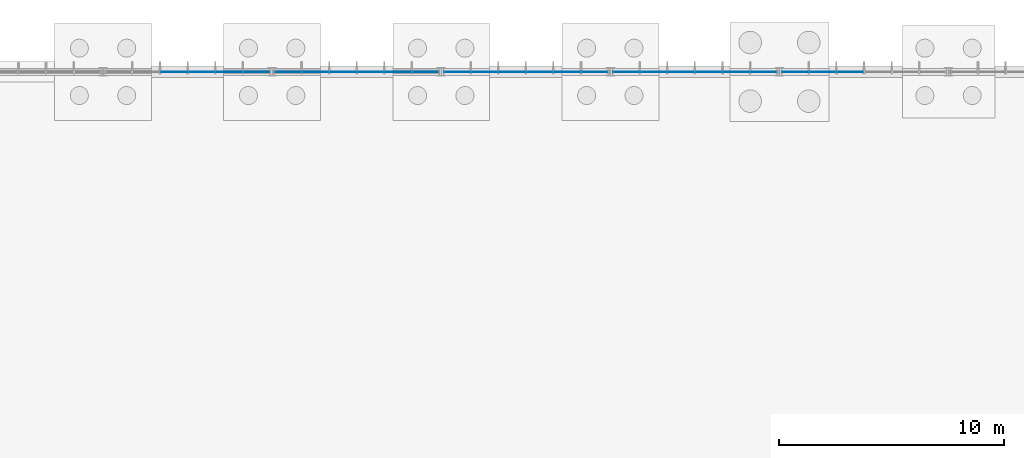
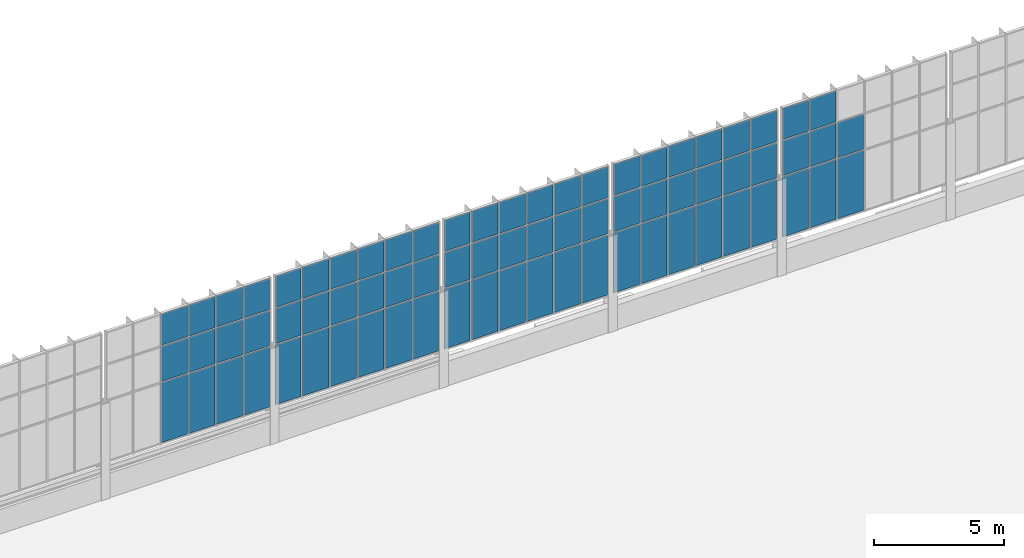
# One storey, part 93 of 136: 74 plates, 5 elements without a shape of their own.
"""IFC4 building model written with IfcOpenShell, lengths in metres."""

import ifcopenshell
import ifcopenshell.guid

model = None  # the IFC model being written
_history = None  # IfcOwnerHistory: only IFC2X3 demands one
_inside = {}  # id of a spatial element -> (the spatial element, [elements in it])
_under = {}  # id of a project, library or spatial element -> (it, [spatial elements below it])
_declared = {}  # id of a project -> (the project, [libraries it declares])
_typed = {}  # id of a type object -> (the type object, [elements of that type])
_made_of = {}  # id of a material, layer set ... -> (it, [elements and type objects made of it])


def new_model(schema):
    """Start an empty IFC model of exactly this schema.

    Asked for "IFC4X3", IfcOpenShell would pick the latest addendum, in which some entities
    have other attributes; the version numbers below select the first issue.
    IFC2X3 requires an IfcOwnerHistory on every rooted entity: one is made here for all.
    """
    global model, _history
    if schema == "IFC4X3":
        model = ifcopenshell.file(schema_version=(4, 3, 0, 0))
    else:
        model = ifcopenshell.file(schema=schema)
    _inside.clear()
    _under.clear()
    _declared.clear()
    _typed.clear()
    _made_of.clear()
    _history = None
    if model.schema == "IFC2X3":
        org = make("IfcOrganization", Name="unknown")
        user = make(
            "IfcPersonAndOrganization",
            ThePerson=make("IfcPerson", FamilyName="unknown"),
            TheOrganization=org,
        )
        app = make(
            "IfcApplication",
            ApplicationDeveloper=org,
            Version="unknown",
            ApplicationFullName="unknown",
            ApplicationIdentifier="unknown",
        )
        _history = make(
            "IfcOwnerHistory",
            OwningUser=user,
            OwningApplication=app,
            ChangeAction="ADDED",
            CreationDate=0,
        )
    return model


def make(cls, **values):
    """One entity of the class cls with the attributes given. An attribute that is None is left unset."""
    return model.create_entity(
        cls, **{name: value for name, value in values.items() if value is not None}
    )


def rooted(cls, **values):
    """An entity with a GlobalId (a new one), such as an element, a storey or a relation."""
    return make(cls, GlobalId=ifcopenshell.guid.new(), OwnerHistory=_history, **values)


def si_unit(unit_type, name, prefix=None):
    """IfcSIUnit, for example si_unit("LENGTHUNIT", "METRE", prefix="MILLI")."""
    return make("IfcSIUnit", UnitType=unit_type, Prefix=prefix, Name=name)


def assignment(units):
    """IfcUnitAssignment: the units of a project."""
    return None if units is None else make("IfcUnitAssignment", Units=units)


def point(xyz):
    """IfcCartesianPoint."""
    return None if xyz is None else make("IfcCartesianPoint", Coordinates=xyz)


def direction(xyz):
    """IfcDirection."""
    return None if xyz is None else make("IfcDirection", DirectionRatios=xyz)


def frame(location, z_axis=None, x_axis=None):
    """IfcAxis2Placement3D, a coordinate frame: its origin and axes. An axis left out is left unset."""
    return make(
        "IfcAxis2Placement3D",
        Location=point(location),
        Axis=direction(z_axis),
        RefDirection=direction(x_axis),
    )


def frame_2d(location, x_axis=None):
    """IfcAxis2Placement2D, a coordinate frame in the plane: its origin and x axis."""
    return make(
        "IfcAxis2Placement2D", Location=point(location), RefDirection=direction(x_axis)
    )


def origin():
    """The frame at (0, 0, 0) with its axes left unset."""
    return frame((0.0, 0.0, 0.0))


def origin_2d():
    """The frame at (0, 0) in the plane with its x axis left unset."""
    return frame_2d((0.0, 0.0))


def place(relative_to, where):
    """IfcLocalPlacement: puts the frame where relative to a parent placement (None: the world)."""
    return make(
        "IfcLocalPlacement", PlacementRelTo=relative_to, RelativePlacement=where
    )


def context(
    kind, dimensions, precision=None, world=None, true_north=None, identifier=None
):
    """IfcGeometricRepresentationContext, for example the 3D "Model" context."""
    return make(
        "IfcGeometricRepresentationContext",
        ContextIdentifier=identifier,
        ContextType=kind,
        CoordinateSpaceDimension=dimensions,
        Precision=precision,
        WorldCoordinateSystem=world,
        TrueNorth=true_north,
    )


def subcontext(parent, identifier, kind, view, scale=None):
    """IfcGeometricRepresentationSubContext, for example "Body" below "Model"."""
    return make(
        "IfcGeometricRepresentationSubContext",
        ContextIdentifier=identifier,
        ContextType=kind,
        ParentContext=parent,
        TargetScale=scale,
        TargetView=view,
    )


def project(units=None, contexts=None):
    """IfcProject with its units and contexts."""
    return rooted(
        "IfcProject",
        Name="project",
        RepresentationContexts=contexts,
        UnitsInContext=assignment(units),
    )


def spatial(cls, under=None, at=None, **own):
    """A site, building, storey or space (cls), placed at a placement, below another one or the project."""
    s = rooted(cls, ObjectPlacement=at, **own)
    if under is not None:
        _under.setdefault(under.id(), (under, []))[1].append(s)
    return s


def profile(cls, at=None, kind="AREA", **sizes):
    """A parametric profile (cls). Its sizes go by their IFC names, for example OverallWidth=200.0."""
    return make(cls, ProfileType=kind, Position=at, **sizes)


def rectangle(**sizes):
    """IfcRectangleProfileDef."""
    return profile("IfcRectangleProfileDef", **sizes)


def extrude(swept, where, along, depth):
    """IfcExtrudedAreaSolid: the profile swept, set in the frame where, extruded along a direction by depth."""
    return make(
        "IfcExtrudedAreaSolid",
        SweptArea=swept,
        Position=where,
        ExtrudedDirection=direction(along),
        Depth=depth,
    )


def shape(context_of_items, identifier, shape_type, items):
    """IfcShapeRepresentation: the items that make up one representation, for example the "Body"."""
    return make(
        "IfcShapeRepresentation",
        ContextOfItems=context_of_items,
        RepresentationIdentifier=identifier,
        RepresentationType=shape_type,
        Items=items,
    )


def material(Name=None, Category=None):
    """IfcMaterial."""
    return make("IfcMaterial", Name=Name, Category=Category)


def layer(
    of_material, thickness, ventilated=None, Name=None, Category=None, Priority=None
):
    """IfcMaterialLayer: one layer of a wall or slab, of a material (None: an air gap)."""
    return make(
        "IfcMaterialLayer",
        Material=of_material,
        LayerThickness=thickness,
        IsVentilated=ventilated,
        Name=Name,
        Category=Category,
        Priority=Priority,
    )


def layer_set(layers, Name=None):
    """IfcMaterialLayerSet."""
    return make("IfcMaterialLayerSet", MaterialLayers=layers, LayerSetName=Name)


def made_of(thing, what):
    """Note that an element or type object is made of a material, layer set ...; save() writes the relation."""
    if what is not None:
        _made_of.setdefault(what.id(), (what, []))[1].append(thing)
    return thing


def type_object(cls, material=None, **own):
    """A type object (cls), such as IfcWallType, which elements share."""
    return made_of(rooted(cls, **own), material)


def element(
    cls,
    number,
    at=None,
    inside=None,
    cuts=None,
    type_object=None,
    material=None,
    context=None,
    identifier="Body",
    shape_type=None,
    held_by="IfcProductDefinitionShape",
    body=None,
    shapes=None,
    **own,
):
    """One element of the class cls, such as IfcWall. Its Tag is "e" and its number.

    at: its placement. inside: the storey or other place that contains it. cuts: it is an
    opening in that element (IfcRelVoidsElement). A single representation is given by context,
    identifier, shape_type and body (its items); several are given by shapes. held_by: the class
    of the entity that holds the representations. save() writes the other relations.
    """
    e = rooted(cls, Tag="e%d" % number, ObjectPlacement=at, **own)
    if body is not None:
        shapes = [shape(context, identifier, shape_type, body)]
    if shapes is not None:
        e.Representation = make(held_by, Representations=shapes)
    if inside is not None:
        _inside.setdefault(inside.id(), (inside, []))[1].append(e)
    if cuts is not None:
        rooted(
            "IfcRelVoidsElement", RelatingBuildingElement=cuts, RelatedOpeningElement=e
        )
    if type_object is not None:
        _typed.setdefault(type_object.id(), (type_object, []))[1].append(e)
    return made_of(e, material)


def aggregate(whole, parts):
    """IfcRelAggregates: a whole, such as a stair, and the parts it consists of."""
    return rooted("IfcRelAggregates", RelatingObject=whole, RelatedObjects=parts)


def save(model, path):
    """Write the relations noted so far, then the file.

    IfcRelAggregates (storeys below a building ...), IfcRelContainedInSpatialStructure (elements
    in a storey), IfcRelDefinesByType, IfcRelAssociatesMaterial and IfcRelDeclares: one each for
    every whole, place, type object, material and project.
    """
    for whole, parts in _under.values():
        aggregate(whole, parts)
    for where, things in _inside.values():
        rooted(
            "IfcRelContainedInSpatialStructure",
            RelatedElements=things,
            RelatingStructure=where,
        )
    for kind, things in _typed.values():
        rooted("IfcRelDefinesByType", RelatedObjects=things, RelatingType=kind)
    for what, things in _made_of.values():
        rooted("IfcRelAssociatesMaterial", RelatedObjects=things, RelatingMaterial=what)
    for by, libraries in _declared.values():
        rooted("IfcRelDeclares", RelatingContext=by, RelatedDefinitions=libraries)
    model.write(path)


model = new_model("IFC4")

# Units and contexts
model_context = context("Model", 3, precision=1e-05, world=origin(), true_north=direction((0.0, 1.0)))
body_context = subcontext(model_context, "Body", "Model", "MODEL_VIEW")
ifc_project = project(units=[si_unit("LENGTHUNIT", "METRE"), si_unit("AREAUNIT", "SQUARE_METRE"), si_unit("VOLUMEUNIT", "CUBIC_METRE"), si_unit("PLANEANGLEUNIT", "RADIAN"), si_unit("MASSUNIT", "GRAM", prefix="KILO")], contexts=[model_context])

# Site, building, storey
site_placement = place(None, origin())
site = spatial("IfcSite", under=ifc_project, at=site_placement, CompositionType="ELEMENT")
building_placement = place(site_placement, origin())
building = spatial("IfcBuilding", under=site, at=building_placement, Name="Solvenia Promenade Tram Depot", CompositionType="ELEMENT")
storey_placement = place(building_placement, origin())
storey = spatial("IfcBuildingStorey", under=building, at=storey_placement, Name="L00", CompositionType="ELEMENT", Elevation=0.0)

# Curtain wall, plates
ifc_material_1 = material(Name="Anodized aluminium AW-6063 T6", Category="aluminium")
ifc_layer_1 = layer(ifc_material_1, 0.159912109375, Name="Anodized aluminium AW-6063 T6", Category="aluminium")
ifc_layer_set_1 = layer_set([ifc_layer_1], Name="Anodized aluminium AW-6063 T6")
curtain_wall_type = type_object("IfcCurtainWallType", Name="CW-Channel-1200", PredefinedType="NOTDEFINED", material=ifc_layer_set_1)
curtain_wall_1_placement = place(storey_placement, origin())
curtain_wall_1 = element("IfcCurtainWall", 1, at=curtain_wall_1_placement, inside=storey, type_object=curtain_wall_type, Name="North Translucent Channel-Glass Wall 09", PredefinedType="NOTDEFINED")
ifc_material_2 = material(Name="Low-iron translucent U-profile channel glass", Category="glass")
ifc_layer_2 = layer(ifc_material_2, 0.028076171875, Name="Low-iron translucent U-profile channel glass", Category="glass")
ifc_layer_set_2 = layer_set([ifc_layer_2], Name="Low-iron translucent U-profile channel glass")
plate_type = type_object("IfcPlateType", Name="CWP-Panel-1", PredefinedType="CURTAIN_PANEL", material=ifc_layer_set_2)
plate_1_placement = place(storey_placement, frame((63.138427734375, 126.0, 1.659912109375), z_axis=(0.0, 0.0, 1.0), x_axis=(1.0, 0.0, 0.0)))
plate_1 = element("IfcPlate", 2, at=plate_1_placement, type_object=plate_type, Name="CW-1 panel 3.1", PredefinedType="CURTAIN_PANEL", context=body_context, shape_type="SweptSolid", body=[
    extrude(rectangle(XDim=1.17138671875, YDim=0.028076171875, at=origin_2d()), origin(), (0.0, 0.0, 1.0), 2.81005859375),
])
plate_2_placement = place(storey_placement, frame((63.138427734375, 126.0, 4.5302734375), z_axis=(0.0, 0.0, 1.0), x_axis=(1.0, 0.0, 0.0)))
plate_2 = element("IfcPlate", 3, at=plate_2_placement, type_object=plate_type, Name="CW-1 panel 3.2", PredefinedType="CURTAIN_PANEL", context=body_context, shape_type="SweptSolid", body=[
    extrude(rectangle(XDim=1.17138671875, YDim=0.028076171875, at=origin_2d()), origin(), (0.0, 0.0, 1.0), 1.639892578125),
])
plate_3_placement = place(storey_placement, frame((63.138427734375, 126.0, 6.22998046875), z_axis=(0.0, 0.0, 1.0), x_axis=(1.0, 0.0, 0.0)))
plate_3 = element("IfcPlate", 4, at=plate_3_placement, type_object=plate_type, Name="CW-1 panel 3.3", PredefinedType="CURTAIN_PANEL", context=body_context, shape_type="SweptSolid", body=[
    extrude(rectangle(XDim=1.17138671875, YDim=0.028076171875, at=origin_2d()), origin(), (0.0, 0.0, 1.0), 1.4599609375),
])
plate_4_placement = place(storey_placement, frame((64.361572265625, 126.0, 1.659912109375), z_axis=(0.0, 0.0, 1.0), x_axis=(1.0, 0.0, 0.0)))
plate_4 = element("IfcPlate", 5, at=plate_4_placement, type_object=plate_type, Name="CW-1 panel 4.1", PredefinedType="CURTAIN_PANEL", context=body_context, shape_type="SweptSolid", body=[
    extrude(rectangle(XDim=1.17138671875, YDim=0.028076171875, at=origin_2d()), origin(), (0.0, 0.0, 1.0), 2.81005859375),
])
plate_5_placement = place(storey_placement, frame((64.361572265625, 126.0, 4.5302734375), z_axis=(0.0, 0.0, 1.0), x_axis=(1.0, 0.0, 0.0)))
plate_5 = element("IfcPlate", 6, at=plate_5_placement, type_object=plate_type, Name="CW-1 panel 4.2", PredefinedType="CURTAIN_PANEL", context=body_context, shape_type="SweptSolid", body=[
    extrude(rectangle(XDim=1.17138671875, YDim=0.028076171875, at=origin_2d()), origin(), (0.0, 0.0, 1.0), 1.639892578125),
])
plate_6_placement = place(storey_placement, frame((64.361572265625, 126.0, 6.22998046875), z_axis=(0.0, 0.0, 1.0), x_axis=(1.0, 0.0, 0.0)))
plate_6 = element("IfcPlate", 7, at=plate_6_placement, type_object=plate_type, Name="CW-1 panel 4.3", PredefinedType="CURTAIN_PANEL", context=body_context, shape_type="SweptSolid", body=[
    extrude(rectangle(XDim=1.17138671875, YDim=0.028076171875, at=origin_2d()), origin(), (0.0, 0.0, 1.0), 1.4599609375),
])
plate_7_placement = place(storey_placement, frame((65.5849609375, 126.0, 1.659912109375), z_axis=(0.0, 0.0, 1.0), x_axis=(1.0, 0.0, 0.0)))
plate_7 = element("IfcPlate", 8, at=plate_7_placement, type_object=plate_type, Name="CW-1 panel 5.1", PredefinedType="CURTAIN_PANEL", context=body_context, shape_type="SweptSolid", body=[
    extrude(rectangle(XDim=1.17138671875, YDim=0.028076171875, at=origin_2d()), origin(), (0.0, 0.0, 1.0), 2.81005859375),
])
plate_8_placement = place(storey_placement, frame((65.5849609375, 126.0, 4.5302734375), z_axis=(0.0, 0.0, 1.0), x_axis=(1.0, 0.0, 0.0)))
plate_8 = element("IfcPlate", 9, at=plate_8_placement, type_object=plate_type, Name="CW-1 panel 5.2", PredefinedType="CURTAIN_PANEL", context=body_context, shape_type="SweptSolid", body=[
    extrude(rectangle(XDim=1.17138671875, YDim=0.028076171875, at=origin_2d()), origin(), (0.0, 0.0, 1.0), 1.639892578125),
])
plate_9_placement = place(storey_placement, frame((65.5849609375, 126.0, 6.22998046875), z_axis=(0.0, 0.0, 1.0), x_axis=(1.0, 0.0, 0.0)))
plate_9 = element("IfcPlate", 10, at=plate_9_placement, type_object=plate_type, Name="CW-1 panel 5.3", PredefinedType="CURTAIN_PANEL", context=body_context, shape_type="SweptSolid", body=[
    extrude(rectangle(XDim=1.17138671875, YDim=0.028076171875, at=origin_2d()), origin(), (0.0, 0.0, 1.0), 1.4599609375),
])
plate_10_placement = place(storey_placement, frame((66.79541015625, 126.0, 1.659912109375), z_axis=(0.0, 0.0, 1.0), x_axis=(1.0, 0.0, 0.0)))
plate_10 = element("IfcPlate", 11, at=plate_10_placement, type_object=plate_type, Name="CW-1 panel 6.1", PredefinedType="CURTAIN_PANEL", context=body_context, shape_type="SweptSolid", body=[
    extrude(rectangle(XDim=1.145263671875, YDim=0.028076171875, at=origin_2d()), origin(), (0.0, 0.0, 1.0), 2.81005859375),
])
plate_11_placement = place(storey_placement, frame((66.79541015625, 126.0, 4.5302734375), z_axis=(0.0, 0.0, 1.0), x_axis=(1.0, 0.0, 0.0)))
plate_11 = element("IfcPlate", 12, at=plate_11_placement, type_object=plate_type, Name="CW-1 panel 6.2", PredefinedType="CURTAIN_PANEL", context=body_context, shape_type="SweptSolid", body=[
    extrude(rectangle(XDim=1.145263671875, YDim=0.028076171875, at=origin_2d()), origin(), (0.0, 0.0, 1.0), 1.639892578125),
])
plate_12_placement = place(storey_placement, frame((66.79541015625, 126.0, 6.22998046875), z_axis=(0.0, 0.0, 1.0), x_axis=(1.0, 0.0, 0.0)))
plate_12 = element("IfcPlate", 13, at=plate_12_placement, type_object=plate_type, Name="CW-1 panel 6.3", PredefinedType="CURTAIN_PANEL", context=body_context, shape_type="SweptSolid", body=[
    extrude(rectangle(XDim=1.145263671875, YDim=0.028076171875, at=origin_2d()), origin(), (0.0, 0.0, 1.0), 1.4599609375),
])
aggregate(curtain_wall_1, [plate_1, plate_2, plate_3, plate_4, plate_5, plate_6, plate_7, plate_8, plate_9, plate_10, plate_11, plate_12])

curtain_wall_2_placement = place(storey_placement, origin())
curtain_wall_2 = element("IfcCurtainWall", 14, at=curtain_wall_2_placement, inside=storey, type_object=curtain_wall_type, Name="North Translucent Channel-Glass Wall 10", PredefinedType="NOTDEFINED")
plate_13_placement = place(storey_placement, frame((68.20458984375, 126.0, 1.659912109375), z_axis=(0.0, 0.0, 1.0), x_axis=(1.0, 0.0, 0.0)))
plate_13 = element("IfcPlate", 15, at=plate_13_placement, type_object=plate_type, Name="CW-1 panel 1.1", PredefinedType="CURTAIN_PANEL", context=body_context, shape_type="SweptSolid", body=[
    extrude(rectangle(XDim=1.145263671875, YDim=0.028076171875, at=origin_2d()), origin(), (0.0, 0.0, 1.0), 2.81005859375),
])
plate_14_placement = place(storey_placement, frame((68.20458984375, 126.0, 4.5302734375), z_axis=(0.0, 0.0, 1.0), x_axis=(1.0, 0.0, 0.0)))
plate_14 = element("IfcPlate", 16, at=plate_14_placement, type_object=plate_type, Name="CW-1 panel 1.2", PredefinedType="CURTAIN_PANEL", context=body_context, shape_type="SweptSolid", body=[
    extrude(rectangle(XDim=1.145263671875, YDim=0.028076171875, at=origin_2d()), origin(), (0.0, 0.0, 1.0), 1.639892578125),
])
plate_15_placement = place(storey_placement, frame((68.20458984375, 126.0, 6.22998046875), z_axis=(0.0, 0.0, 1.0), x_axis=(1.0, 0.0, 0.0)))
plate_15 = element("IfcPlate", 17, at=plate_15_placement, type_object=plate_type, Name="CW-1 panel 1.3", PredefinedType="CURTAIN_PANEL", context=body_context, shape_type="SweptSolid", body=[
    extrude(rectangle(XDim=1.145263671875, YDim=0.028076171875, at=origin_2d()), origin(), (0.0, 0.0, 1.0), 1.4599609375),
])
plate_16_placement = place(storey_placement, frame((69.4150390625, 126.0, 1.659912109375), z_axis=(0.0, 0.0, 1.0), x_axis=(1.0, 0.0, 0.0)))
plate_16 = element("IfcPlate", 18, at=plate_16_placement, type_object=plate_type, Name="CW-1 panel 2.1", PredefinedType="CURTAIN_PANEL", context=body_context, shape_type="SweptSolid", body=[
    extrude(rectangle(XDim=1.17138671875, YDim=0.028076171875, at=origin_2d()), origin(), (0.0, 0.0, 1.0), 2.81005859375),
])
plate_17_placement = place(storey_placement, frame((69.4150390625, 126.0, 4.5302734375), z_axis=(0.0, 0.0, 1.0), x_axis=(1.0, 0.0, 0.0)))
plate_17 = element("IfcPlate", 19, at=plate_17_placement, type_object=plate_type, Name="CW-1 panel 2.2", PredefinedType="CURTAIN_PANEL", context=body_context, shape_type="SweptSolid", body=[
    extrude(rectangle(XDim=1.17138671875, YDim=0.028076171875, at=origin_2d()), origin(), (0.0, 0.0, 1.0), 1.639892578125),
])
plate_18_placement = place(storey_placement, frame((69.4150390625, 126.0, 6.22998046875), z_axis=(0.0, 0.0, 1.0), x_axis=(1.0, 0.0, 0.0)))
plate_18 = element("IfcPlate", 20, at=plate_18_placement, type_object=plate_type, Name="CW-1 panel 2.3", PredefinedType="CURTAIN_PANEL", context=body_context, shape_type="SweptSolid", body=[
    extrude(rectangle(XDim=1.17138671875, YDim=0.028076171875, at=origin_2d()), origin(), (0.0, 0.0, 1.0), 1.4599609375),
])
plate_19_placement = place(storey_placement, frame((70.638427734375, 126.0, 1.659912109375), z_axis=(0.0, 0.0, 1.0), x_axis=(1.0, 0.0, 0.0)))
plate_19 = element("IfcPlate", 21, at=plate_19_placement, type_object=plate_type, Name="CW-1 panel 3.1", PredefinedType="CURTAIN_PANEL", context=body_context, shape_type="SweptSolid", body=[
    extrude(rectangle(XDim=1.17138671875, YDim=0.028076171875, at=origin_2d()), origin(), (0.0, 0.0, 1.0), 2.81005859375),
])
plate_20_placement = place(storey_placement, frame((70.638427734375, 126.0, 4.5302734375), z_axis=(0.0, 0.0, 1.0), x_axis=(1.0, 0.0, 0.0)))
plate_20 = element("IfcPlate", 22, at=plate_20_placement, type_object=plate_type, Name="CW-1 panel 3.2", PredefinedType="CURTAIN_PANEL", context=body_context, shape_type="SweptSolid", body=[
    extrude(rectangle(XDim=1.17138671875, YDim=0.028076171875, at=origin_2d()), origin(), (0.0, 0.0, 1.0), 1.639892578125),
])
plate_21_placement = place(storey_placement, frame((70.638427734375, 126.0, 6.22998046875), z_axis=(0.0, 0.0, 1.0), x_axis=(1.0, 0.0, 0.0)))
plate_21 = element("IfcPlate", 23, at=plate_21_placement, type_object=plate_type, Name="CW-1 panel 3.3", PredefinedType="CURTAIN_PANEL", context=body_context, shape_type="SweptSolid", body=[
    extrude(rectangle(XDim=1.17138671875, YDim=0.028076171875, at=origin_2d()), origin(), (0.0, 0.0, 1.0), 1.4599609375),
])
plate_22_placement = place(storey_placement, frame((71.861572265625, 126.0, 1.659912109375), z_axis=(0.0, 0.0, 1.0), x_axis=(1.0, 0.0, 0.0)))
plate_22 = element("IfcPlate", 24, at=plate_22_placement, type_object=plate_type, Name="CW-1 panel 4.1", PredefinedType="CURTAIN_PANEL", context=body_context, shape_type="SweptSolid", body=[
    extrude(rectangle(XDim=1.17138671875, YDim=0.028076171875, at=origin_2d()), origin(), (0.0, 0.0, 1.0), 2.81005859375),
])
plate_23_placement = place(storey_placement, frame((71.861572265625, 126.0, 4.5302734375), z_axis=(0.0, 0.0, 1.0), x_axis=(1.0, 0.0, 0.0)))
plate_23 = element("IfcPlate", 25, at=plate_23_placement, type_object=plate_type, Name="CW-1 panel 4.2", PredefinedType="CURTAIN_PANEL", context=body_context, shape_type="SweptSolid", body=[
    extrude(rectangle(XDim=1.17138671875, YDim=0.028076171875, at=origin_2d()), origin(), (0.0, 0.0, 1.0), 1.639892578125),
])
plate_24_placement = place(storey_placement, frame((71.861572265625, 126.0, 6.22998046875), z_axis=(0.0, 0.0, 1.0), x_axis=(1.0, 0.0, 0.0)))
plate_24 = element("IfcPlate", 26, at=plate_24_placement, type_object=plate_type, Name="CW-1 panel 4.3", PredefinedType="CURTAIN_PANEL", context=body_context, shape_type="SweptSolid", body=[
    extrude(rectangle(XDim=1.17138671875, YDim=0.028076171875, at=origin_2d()), origin(), (0.0, 0.0, 1.0), 1.4599609375),
])
plate_25_placement = place(storey_placement, frame((73.0849609375, 126.0, 1.659912109375), z_axis=(0.0, 0.0, 1.0), x_axis=(1.0, 0.0, 0.0)))
plate_25 = element("IfcPlate", 27, at=plate_25_placement, type_object=plate_type, Name="CW-1 panel 5.1", PredefinedType="CURTAIN_PANEL", context=body_context, shape_type="SweptSolid", body=[
    extrude(rectangle(XDim=1.17138671875, YDim=0.028076171875, at=origin_2d()), origin(), (0.0, 0.0, 1.0), 2.81005859375),
])
plate_26_placement = place(storey_placement, frame((73.0849609375, 126.0, 4.5302734375), z_axis=(0.0, 0.0, 1.0), x_axis=(1.0, 0.0, 0.0)))
plate_26 = element("IfcPlate", 28, at=plate_26_placement, type_object=plate_type, Name="CW-1 panel 5.2", PredefinedType="CURTAIN_PANEL", context=body_context, shape_type="SweptSolid", body=[
    extrude(rectangle(XDim=1.17138671875, YDim=0.028076171875, at=origin_2d()), origin(), (0.0, 0.0, 1.0), 1.639892578125),
])
plate_27_placement = place(storey_placement, frame((73.0849609375, 126.0, 6.22998046875), z_axis=(0.0, 0.0, 1.0), x_axis=(1.0, 0.0, 0.0)))
plate_27 = element("IfcPlate", 29, at=plate_27_placement, type_object=plate_type, Name="CW-1 panel 5.3", PredefinedType="CURTAIN_PANEL", context=body_context, shape_type="SweptSolid", body=[
    extrude(rectangle(XDim=1.17138671875, YDim=0.028076171875, at=origin_2d()), origin(), (0.0, 0.0, 1.0), 1.4599609375),
])
plate_28_placement = place(storey_placement, frame((74.29541015625, 126.0, 1.659912109375), z_axis=(0.0, 0.0, 1.0), x_axis=(1.0, 0.0, 0.0)))
plate_28 = element("IfcPlate", 30, at=plate_28_placement, type_object=plate_type, Name="CW-1 panel 6.1", PredefinedType="CURTAIN_PANEL", context=body_context, shape_type="SweptSolid", body=[
    extrude(rectangle(XDim=1.145263671875, YDim=0.028076171875, at=origin_2d()), origin(), (0.0, 0.0, 1.0), 2.81005859375),
])
plate_29_placement = place(storey_placement, frame((74.29541015625, 126.0, 4.5302734375), z_axis=(0.0, 0.0, 1.0), x_axis=(1.0, 0.0, 0.0)))
plate_29 = element("IfcPlate", 31, at=plate_29_placement, type_object=plate_type, Name="CW-1 panel 6.2", PredefinedType="CURTAIN_PANEL", context=body_context, shape_type="SweptSolid", body=[
    extrude(rectangle(XDim=1.145263671875, YDim=0.028076171875, at=origin_2d()), origin(), (0.0, 0.0, 1.0), 1.639892578125),
])
plate_30_placement = place(storey_placement, frame((74.29541015625, 126.0, 6.22998046875), z_axis=(0.0, 0.0, 1.0), x_axis=(1.0, 0.0, 0.0)))
plate_30 = element("IfcPlate", 32, at=plate_30_placement, type_object=plate_type, Name="CW-1 panel 6.3", PredefinedType="CURTAIN_PANEL", context=body_context, shape_type="SweptSolid", body=[
    extrude(rectangle(XDim=1.145263671875, YDim=0.028076171875, at=origin_2d()), origin(), (0.0, 0.0, 1.0), 1.4599609375),
])
aggregate(curtain_wall_2, [plate_13, plate_14, plate_15, plate_16, plate_17, plate_18, plate_19, plate_20, plate_21, plate_22, plate_23, plate_24, plate_25, plate_26, plate_27, plate_28, plate_29, plate_30])

curtain_wall_3_placement = place(storey_placement, origin())
curtain_wall_3 = element("IfcCurtainWall", 33, at=curtain_wall_3_placement, inside=storey, type_object=curtain_wall_type, Name="North Translucent Channel-Glass Wall 11", PredefinedType="NOTDEFINED")
plate_31_placement = place(storey_placement, frame((75.70458984375, 126.0, 1.659912109375), z_axis=(0.0, 0.0, 1.0), x_axis=(1.0, 0.0, 0.0)))
plate_31 = element("IfcPlate", 34, at=plate_31_placement, type_object=plate_type, Name="CW-1 panel 1.1", PredefinedType="CURTAIN_PANEL", context=body_context, shape_type="SweptSolid", body=[
    extrude(rectangle(XDim=1.145263671875, YDim=0.028076171875, at=origin_2d()), origin(), (0.0, 0.0, 1.0), 2.81005859375),
])
plate_32_placement = place(storey_placement, frame((75.70458984375, 126.0, 4.5302734375), z_axis=(0.0, 0.0, 1.0), x_axis=(1.0, 0.0, 0.0)))
plate_32 = element("IfcPlate", 35, at=plate_32_placement, type_object=plate_type, Name="CW-1 panel 1.2", PredefinedType="CURTAIN_PANEL", context=body_context, shape_type="SweptSolid", body=[
    extrude(rectangle(XDim=1.145263671875, YDim=0.028076171875, at=origin_2d()), origin(), (0.0, 0.0, 1.0), 1.639892578125),
])
plate_33_placement = place(storey_placement, frame((75.70458984375, 126.0, 6.22998046875), z_axis=(0.0, 0.0, 1.0), x_axis=(1.0, 0.0, 0.0)))
plate_33 = element("IfcPlate", 36, at=plate_33_placement, type_object=plate_type, Name="CW-1 panel 1.3", PredefinedType="CURTAIN_PANEL", context=body_context, shape_type="SweptSolid", body=[
    extrude(rectangle(XDim=1.145263671875, YDim=0.028076171875, at=origin_2d()), origin(), (0.0, 0.0, 1.0), 1.4599609375),
])
plate_34_placement = place(storey_placement, frame((76.9150390625, 126.0, 1.659912109375), z_axis=(0.0, 0.0, 1.0), x_axis=(1.0, 0.0, 0.0)))
plate_34 = element("IfcPlate", 37, at=plate_34_placement, type_object=plate_type, Name="CW-1 panel 2.1", PredefinedType="CURTAIN_PANEL", context=body_context, shape_type="SweptSolid", body=[
    extrude(rectangle(XDim=1.17138671875, YDim=0.028076171875, at=origin_2d()), origin(), (0.0, 0.0, 1.0), 2.81005859375),
])
plate_35_placement = place(storey_placement, frame((76.9150390625, 126.0, 4.5302734375), z_axis=(0.0, 0.0, 1.0), x_axis=(1.0, 0.0, 0.0)))
plate_35 = element("IfcPlate", 38, at=plate_35_placement, type_object=plate_type, Name="CW-1 panel 2.2", PredefinedType="CURTAIN_PANEL", context=body_context, shape_type="SweptSolid", body=[
    extrude(rectangle(XDim=1.17138671875, YDim=0.028076171875, at=origin_2d()), origin(), (0.0, 0.0, 1.0), 1.639892578125),
])
plate_36_placement = place(storey_placement, frame((76.9150390625, 126.0, 6.22998046875), z_axis=(0.0, 0.0, 1.0), x_axis=(1.0, 0.0, 0.0)))
plate_36 = element("IfcPlate", 39, at=plate_36_placement, type_object=plate_type, Name="CW-1 panel 2.3", PredefinedType="CURTAIN_PANEL", context=body_context, shape_type="SweptSolid", body=[
    extrude(rectangle(XDim=1.17138671875, YDim=0.028076171875, at=origin_2d()), origin(), (0.0, 0.0, 1.0), 1.4599609375),
])
plate_37_placement = place(storey_placement, frame((78.138427734375, 126.0, 1.659912109375), z_axis=(0.0, 0.0, 1.0), x_axis=(1.0, 0.0, 0.0)))
plate_37 = element("IfcPlate", 40, at=plate_37_placement, type_object=plate_type, Name="CW-1 panel 3.1", PredefinedType="CURTAIN_PANEL", context=body_context, shape_type="SweptSolid", body=[
    extrude(rectangle(XDim=1.17138671875, YDim=0.028076171875, at=origin_2d()), origin(), (0.0, 0.0, 1.0), 2.81005859375),
])
plate_38_placement = place(storey_placement, frame((78.138427734375, 126.0, 4.5302734375), z_axis=(0.0, 0.0, 1.0), x_axis=(1.0, 0.0, 0.0)))
plate_38 = element("IfcPlate", 41, at=plate_38_placement, type_object=plate_type, Name="CW-1 panel 3.2", PredefinedType="CURTAIN_PANEL", context=body_context, shape_type="SweptSolid", body=[
    extrude(rectangle(XDim=1.17138671875, YDim=0.028076171875, at=origin_2d()), origin(), (0.0, 0.0, 1.0), 1.639892578125),
])
plate_39_placement = place(storey_placement, frame((78.138427734375, 126.0, 6.22998046875), z_axis=(0.0, 0.0, 1.0), x_axis=(1.0, 0.0, 0.0)))
plate_39 = element("IfcPlate", 42, at=plate_39_placement, type_object=plate_type, Name="CW-1 panel 3.3", PredefinedType="CURTAIN_PANEL", context=body_context, shape_type="SweptSolid", body=[
    extrude(rectangle(XDim=1.17138671875, YDim=0.028076171875, at=origin_2d()), origin(), (0.0, 0.0, 1.0), 1.4599609375),
])
plate_40_placement = place(storey_placement, frame((79.361572265625, 126.0, 1.659912109375), z_axis=(0.0, 0.0, 1.0), x_axis=(1.0, 0.0, 0.0)))
plate_40 = element("IfcPlate", 43, at=plate_40_placement, type_object=plate_type, Name="CW-1 panel 4.1", PredefinedType="CURTAIN_PANEL", context=body_context, shape_type="SweptSolid", body=[
    extrude(rectangle(XDim=1.17138671875, YDim=0.028076171875, at=origin_2d()), origin(), (0.0, 0.0, 1.0), 2.81005859375),
])
plate_41_placement = place(storey_placement, frame((79.361572265625, 126.0, 4.5302734375), z_axis=(0.0, 0.0, 1.0), x_axis=(1.0, 0.0, 0.0)))
plate_41 = element("IfcPlate", 44, at=plate_41_placement, type_object=plate_type, Name="CW-1 panel 4.2", PredefinedType="CURTAIN_PANEL", context=body_context, shape_type="SweptSolid", body=[
    extrude(rectangle(XDim=1.17138671875, YDim=0.028076171875, at=origin_2d()), origin(), (0.0, 0.0, 1.0), 1.639892578125),
])
plate_42_placement = place(storey_placement, frame((79.361572265625, 126.0, 6.22998046875), z_axis=(0.0, 0.0, 1.0), x_axis=(1.0, 0.0, 0.0)))
plate_42 = element("IfcPlate", 45, at=plate_42_placement, type_object=plate_type, Name="CW-1 panel 4.3", PredefinedType="CURTAIN_PANEL", context=body_context, shape_type="SweptSolid", body=[
    extrude(rectangle(XDim=1.17138671875, YDim=0.028076171875, at=origin_2d()), origin(), (0.0, 0.0, 1.0), 1.4599609375),
])
plate_43_placement = place(storey_placement, frame((80.5849609375, 126.0, 1.659912109375), z_axis=(0.0, 0.0, 1.0), x_axis=(1.0, 0.0, 0.0)))
plate_43 = element("IfcPlate", 46, at=plate_43_placement, type_object=plate_type, Name="CW-1 panel 5.1", PredefinedType="CURTAIN_PANEL", context=body_context, shape_type="SweptSolid", body=[
    extrude(rectangle(XDim=1.17138671875, YDim=0.028076171875, at=origin_2d()), origin(), (0.0, 0.0, 1.0), 2.81005859375),
])
plate_44_placement = place(storey_placement, frame((80.5849609375, 126.0, 4.5302734375), z_axis=(0.0, 0.0, 1.0), x_axis=(1.0, 0.0, 0.0)))
plate_44 = element("IfcPlate", 47, at=plate_44_placement, type_object=plate_type, Name="CW-1 panel 5.2", PredefinedType="CURTAIN_PANEL", context=body_context, shape_type="SweptSolid", body=[
    extrude(rectangle(XDim=1.17138671875, YDim=0.028076171875, at=origin_2d()), origin(), (0.0, 0.0, 1.0), 1.639892578125),
])
plate_45_placement = place(storey_placement, frame((80.5849609375, 126.0, 6.22998046875), z_axis=(0.0, 0.0, 1.0), x_axis=(1.0, 0.0, 0.0)))
plate_45 = element("IfcPlate", 48, at=plate_45_placement, type_object=plate_type, Name="CW-1 panel 5.3", PredefinedType="CURTAIN_PANEL", context=body_context, shape_type="SweptSolid", body=[
    extrude(rectangle(XDim=1.17138671875, YDim=0.028076171875, at=origin_2d()), origin(), (0.0, 0.0, 1.0), 1.4599609375),
])
plate_46_placement = place(storey_placement, frame((81.79541015625, 126.0, 1.659912109375), z_axis=(0.0, 0.0, 1.0), x_axis=(1.0, 0.0, 0.0)))
plate_46 = element("IfcPlate", 49, at=plate_46_placement, type_object=plate_type, Name="CW-1 panel 6.1", PredefinedType="CURTAIN_PANEL", context=body_context, shape_type="SweptSolid", body=[
    extrude(rectangle(XDim=1.145263671875, YDim=0.028076171875, at=origin_2d()), origin(), (0.0, 0.0, 1.0), 2.81005859375),
])
plate_47_placement = place(storey_placement, frame((81.79541015625, 126.0, 4.5302734375), z_axis=(0.0, 0.0, 1.0), x_axis=(1.0, 0.0, 0.0)))
plate_47 = element("IfcPlate", 50, at=plate_47_placement, type_object=plate_type, Name="CW-1 panel 6.2", PredefinedType="CURTAIN_PANEL", context=body_context, shape_type="SweptSolid", body=[
    extrude(rectangle(XDim=1.145263671875, YDim=0.028076171875, at=origin_2d()), origin(), (0.0, 0.0, 1.0), 1.639892578125),
])
plate_48_placement = place(storey_placement, frame((81.79541015625, 126.0, 6.22998046875), z_axis=(0.0, 0.0, 1.0), x_axis=(1.0, 0.0, 0.0)))
plate_48 = element("IfcPlate", 51, at=plate_48_placement, type_object=plate_type, Name="CW-1 panel 6.3", PredefinedType="CURTAIN_PANEL", context=body_context, shape_type="SweptSolid", body=[
    extrude(rectangle(XDim=1.145263671875, YDim=0.028076171875, at=origin_2d()), origin(), (0.0, 0.0, 1.0), 1.4599609375),
])
aggregate(curtain_wall_3, [plate_31, plate_32, plate_33, plate_34, plate_35, plate_36, plate_37, plate_38, plate_39, plate_40, plate_41, plate_42, plate_43, plate_44, plate_45, plate_46, plate_47, plate_48])

curtain_wall_4_placement = place(storey_placement, origin())
curtain_wall_4 = element("IfcCurtainWall", 52, at=curtain_wall_4_placement, inside=storey, type_object=curtain_wall_type, Name="North Translucent Channel-Glass Wall 12", PredefinedType="NOTDEFINED")
plate_49_placement = place(storey_placement, frame((83.20458984375, 126.0, 1.659912109375), z_axis=(0.0, 0.0, 1.0), x_axis=(1.0, 0.0, 0.0)))
plate_49 = element("IfcPlate", 53, at=plate_49_placement, type_object=plate_type, Name="CW-1 panel 1.1", PredefinedType="CURTAIN_PANEL", context=body_context, shape_type="SweptSolid", body=[
    extrude(rectangle(XDim=1.145263671875, YDim=0.028076171875, at=origin_2d()), origin(), (0.0, 0.0, 1.0), 2.81005859375),
])
plate_50_placement = place(storey_placement, frame((83.20458984375, 126.0, 4.5302734375), z_axis=(0.0, 0.0, 1.0), x_axis=(1.0, 0.0, 0.0)))
plate_50 = element("IfcPlate", 54, at=plate_50_placement, type_object=plate_type, Name="CW-1 panel 1.2", PredefinedType="CURTAIN_PANEL", context=body_context, shape_type="SweptSolid", body=[
    extrude(rectangle(XDim=1.145263671875, YDim=0.028076171875, at=origin_2d()), origin(), (0.0, 0.0, 1.0), 1.639892578125),
])
plate_51_placement = place(storey_placement, frame((83.20458984375, 126.0, 6.22998046875), z_axis=(0.0, 0.0, 1.0), x_axis=(1.0, 0.0, 0.0)))
plate_51 = element("IfcPlate", 55, at=plate_51_placement, type_object=plate_type, Name="CW-1 panel 1.3", PredefinedType="CURTAIN_PANEL", context=body_context, shape_type="SweptSolid", body=[
    extrude(rectangle(XDim=1.145263671875, YDim=0.028076171875, at=origin_2d()), origin(), (0.0, 0.0, 1.0), 1.4599609375),
])
plate_52_placement = place(storey_placement, frame((84.4150390625, 126.0, 1.659912109375), z_axis=(0.0, 0.0, 1.0), x_axis=(1.0, 0.0, 0.0)))
plate_52 = element("IfcPlate", 56, at=plate_52_placement, type_object=plate_type, Name="CW-1 panel 2.1", PredefinedType="CURTAIN_PANEL", context=body_context, shape_type="SweptSolid", body=[
    extrude(rectangle(XDim=1.17138671875, YDim=0.028076171875, at=origin_2d()), origin(), (0.0, 0.0, 1.0), 2.81005859375),
])
plate_53_placement = place(storey_placement, frame((84.4150390625, 126.0, 4.5302734375), z_axis=(0.0, 0.0, 1.0), x_axis=(1.0, 0.0, 0.0)))
plate_53 = element("IfcPlate", 57, at=plate_53_placement, type_object=plate_type, Name="CW-1 panel 2.2", PredefinedType="CURTAIN_PANEL", context=body_context, shape_type="SweptSolid", body=[
    extrude(rectangle(XDim=1.17138671875, YDim=0.028076171875, at=origin_2d()), origin(), (0.0, 0.0, 1.0), 1.639892578125),
])
plate_54_placement = place(storey_placement, frame((84.4150390625, 126.0, 6.22998046875), z_axis=(0.0, 0.0, 1.0), x_axis=(1.0, 0.0, 0.0)))
plate_54 = element("IfcPlate", 58, at=plate_54_placement, type_object=plate_type, Name="CW-1 panel 2.3", PredefinedType="CURTAIN_PANEL", context=body_context, shape_type="SweptSolid", body=[
    extrude(rectangle(XDim=1.17138671875, YDim=0.028076171875, at=origin_2d()), origin(), (0.0, 0.0, 1.0), 1.4599609375),
])
plate_55_placement = place(storey_placement, frame((85.638427734375, 126.0, 1.659912109375), z_axis=(0.0, 0.0, 1.0), x_axis=(1.0, 0.0, 0.0)))
plate_55 = element("IfcPlate", 59, at=plate_55_placement, type_object=plate_type, Name="CW-1 panel 3.1", PredefinedType="CURTAIN_PANEL", context=body_context, shape_type="SweptSolid", body=[
    extrude(rectangle(XDim=1.17138671875, YDim=0.028076171875, at=origin_2d()), origin(), (0.0, 0.0, 1.0), 2.81005859375),
])
plate_56_placement = place(storey_placement, frame((85.638427734375, 126.0, 4.5302734375), z_axis=(0.0, 0.0, 1.0), x_axis=(1.0, 0.0, 0.0)))
plate_56 = element("IfcPlate", 60, at=plate_56_placement, type_object=plate_type, Name="CW-1 panel 3.2", PredefinedType="CURTAIN_PANEL", context=body_context, shape_type="SweptSolid", body=[
    extrude(rectangle(XDim=1.17138671875, YDim=0.028076171875, at=origin_2d()), origin(), (0.0, 0.0, 1.0), 1.639892578125),
])
plate_57_placement = place(storey_placement, frame((85.638427734375, 126.0, 6.22998046875), z_axis=(0.0, 0.0, 1.0), x_axis=(1.0, 0.0, 0.0)))
plate_57 = element("IfcPlate", 61, at=plate_57_placement, type_object=plate_type, Name="CW-1 panel 3.3", PredefinedType="CURTAIN_PANEL", context=body_context, shape_type="SweptSolid", body=[
    extrude(rectangle(XDim=1.17138671875, YDim=0.028076171875, at=origin_2d()), origin(), (0.0, 0.0, 1.0), 1.4599609375),
])
plate_58_placement = place(storey_placement, frame((86.861572265625, 126.0, 1.659912109375), z_axis=(0.0, 0.0, 1.0), x_axis=(1.0, 0.0, 0.0)))
plate_58 = element("IfcPlate", 62, at=plate_58_placement, type_object=plate_type, Name="CW-1 panel 4.1", PredefinedType="CURTAIN_PANEL", context=body_context, shape_type="SweptSolid", body=[
    extrude(rectangle(XDim=1.17138671875, YDim=0.028076171875, at=origin_2d()), origin(), (0.0, 0.0, 1.0), 2.81005859375),
])
plate_59_placement = place(storey_placement, frame((86.861572265625, 126.0, 4.5302734375), z_axis=(0.0, 0.0, 1.0), x_axis=(1.0, 0.0, 0.0)))
plate_59 = element("IfcPlate", 63, at=plate_59_placement, type_object=plate_type, Name="CW-1 panel 4.2", PredefinedType="CURTAIN_PANEL", context=body_context, shape_type="SweptSolid", body=[
    extrude(rectangle(XDim=1.17138671875, YDim=0.028076171875, at=origin_2d()), origin(), (0.0, 0.0, 1.0), 1.639892578125),
])
plate_60_placement = place(storey_placement, frame((86.861572265625, 126.0, 6.22998046875), z_axis=(0.0, 0.0, 1.0), x_axis=(1.0, 0.0, 0.0)))
plate_60 = element("IfcPlate", 64, at=plate_60_placement, type_object=plate_type, Name="CW-1 panel 4.3", PredefinedType="CURTAIN_PANEL", context=body_context, shape_type="SweptSolid", body=[
    extrude(rectangle(XDim=1.17138671875, YDim=0.028076171875, at=origin_2d()), origin(), (0.0, 0.0, 1.0), 1.4599609375),
])
plate_61_placement = place(storey_placement, frame((88.0849609375, 126.0, 1.659912109375), z_axis=(0.0, 0.0, 1.0), x_axis=(1.0, 0.0, 0.0)))
plate_61 = element("IfcPlate", 65, at=plate_61_placement, type_object=plate_type, Name="CW-1 panel 5.1", PredefinedType="CURTAIN_PANEL", context=body_context, shape_type="SweptSolid", body=[
    extrude(rectangle(XDim=1.17138671875, YDim=0.028076171875, at=origin_2d()), origin(), (0.0, 0.0, 1.0), 2.81005859375),
])
plate_62_placement = place(storey_placement, frame((88.0849609375, 126.0, 4.5302734375), z_axis=(0.0, 0.0, 1.0), x_axis=(1.0, 0.0, 0.0)))
plate_62 = element("IfcPlate", 66, at=plate_62_placement, type_object=plate_type, Name="CW-1 panel 5.2", PredefinedType="CURTAIN_PANEL", context=body_context, shape_type="SweptSolid", body=[
    extrude(rectangle(XDim=1.17138671875, YDim=0.028076171875, at=origin_2d()), origin(), (0.0, 0.0, 1.0), 1.639892578125),
])
plate_63_placement = place(storey_placement, frame((88.0849609375, 126.0, 6.22998046875), z_axis=(0.0, 0.0, 1.0), x_axis=(1.0, 0.0, 0.0)))
plate_63 = element("IfcPlate", 67, at=plate_63_placement, type_object=plate_type, Name="CW-1 panel 5.3", PredefinedType="CURTAIN_PANEL", context=body_context, shape_type="SweptSolid", body=[
    extrude(rectangle(XDim=1.17138671875, YDim=0.028076171875, at=origin_2d()), origin(), (0.0, 0.0, 1.0), 1.4599609375),
])
plate_64_placement = place(storey_placement, frame((89.29541015625, 126.0, 1.659912109375), z_axis=(0.0, 0.0, 1.0), x_axis=(1.0, 0.0, 0.0)))
plate_64 = element("IfcPlate", 68, at=plate_64_placement, type_object=plate_type, Name="CW-1 panel 6.1", PredefinedType="CURTAIN_PANEL", context=body_context, shape_type="SweptSolid", body=[
    extrude(rectangle(XDim=1.145263671875, YDim=0.028076171875, at=origin_2d()), origin(), (0.0, 0.0, 1.0), 2.81005859375),
])
plate_65_placement = place(storey_placement, frame((89.29541015625, 126.0, 4.5302734375), z_axis=(0.0, 0.0, 1.0), x_axis=(1.0, 0.0, 0.0)))
plate_65 = element("IfcPlate", 69, at=plate_65_placement, type_object=plate_type, Name="CW-1 panel 6.2", PredefinedType="CURTAIN_PANEL", context=body_context, shape_type="SweptSolid", body=[
    extrude(rectangle(XDim=1.145263671875, YDim=0.028076171875, at=origin_2d()), origin(), (0.0, 0.0, 1.0), 1.639892578125),
])
plate_66_placement = place(storey_placement, frame((89.29541015625, 126.0, 6.22998046875), z_axis=(0.0, 0.0, 1.0), x_axis=(1.0, 0.0, 0.0)))
plate_66 = element("IfcPlate", 70, at=plate_66_placement, type_object=plate_type, Name="CW-1 panel 6.3", PredefinedType="CURTAIN_PANEL", context=body_context, shape_type="SweptSolid", body=[
    extrude(rectangle(XDim=1.145263671875, YDim=0.028076171875, at=origin_2d()), origin(), (0.0, 0.0, 1.0), 1.4599609375),
])
aggregate(curtain_wall_4, [plate_49, plate_50, plate_51, plate_52, plate_53, plate_54, plate_55, plate_56, plate_57, plate_58, plate_59, plate_60, plate_61, plate_62, plate_63, plate_64, plate_65, plate_66])

curtain_wall_5_placement = place(storey_placement, origin())
curtain_wall_5 = element("IfcCurtainWall", 71, at=curtain_wall_5_placement, inside=storey, type_object=curtain_wall_type, Name="North Translucent Channel-Glass Wall 13", PredefinedType="NOTDEFINED")
plate_67_placement = place(storey_placement, frame((90.70458984375, 126.0, 1.659912109375), z_axis=(0.0, 0.0, 1.0), x_axis=(1.0, 0.0, 0.0)))
plate_67 = element("IfcPlate", 72, at=plate_67_placement, type_object=plate_type, Name="CW-1 panel 1.1", PredefinedType="CURTAIN_PANEL", context=body_context, shape_type="SweptSolid", body=[
    extrude(rectangle(XDim=1.145263671875, YDim=0.028076171875, at=origin_2d()), origin(), (0.0, 0.0, 1.0), 2.81005859375),
])
plate_68_placement = place(storey_placement, frame((90.70458984375, 126.0, 4.5302734375), z_axis=(0.0, 0.0, 1.0), x_axis=(1.0, 0.0, 0.0)))
plate_68 = element("IfcPlate", 73, at=plate_68_placement, type_object=plate_type, Name="CW-1 panel 1.2", PredefinedType="CURTAIN_PANEL", context=body_context, shape_type="SweptSolid", body=[
    extrude(rectangle(XDim=1.145263671875, YDim=0.028076171875, at=origin_2d()), origin(), (0.0, 0.0, 1.0), 1.639892578125),
])
plate_69_placement = place(storey_placement, frame((90.70458984375, 126.0, 6.22998046875), z_axis=(0.0, 0.0, 1.0), x_axis=(1.0, 0.0, 0.0)))
plate_69 = element("IfcPlate", 74, at=plate_69_placement, type_object=plate_type, Name="CW-1 panel 1.3", PredefinedType="CURTAIN_PANEL", context=body_context, shape_type="SweptSolid", body=[
    extrude(rectangle(XDim=1.145263671875, YDim=0.028076171875, at=origin_2d()), origin(), (0.0, 0.0, 1.0), 1.4599609375),
])
plate_70_placement = place(storey_placement, frame((91.9150390625, 126.0, 1.659912109375), z_axis=(0.0, 0.0, 1.0), x_axis=(1.0, 0.0, 0.0)))
plate_70 = element("IfcPlate", 75, at=plate_70_placement, type_object=plate_type, Name="CW-1 panel 2.1", PredefinedType="CURTAIN_PANEL", context=body_context, shape_type="SweptSolid", body=[
    extrude(rectangle(XDim=1.17138671875, YDim=0.028076171875, at=origin_2d()), origin(), (0.0, 0.0, 1.0), 2.81005859375),
])
plate_71_placement = place(storey_placement, frame((91.9150390625, 126.0, 4.5302734375), z_axis=(0.0, 0.0, 1.0), x_axis=(1.0, 0.0, 0.0)))
plate_71 = element("IfcPlate", 76, at=plate_71_placement, type_object=plate_type, Name="CW-1 panel 2.2", PredefinedType="CURTAIN_PANEL", context=body_context, shape_type="SweptSolid", body=[
    extrude(rectangle(XDim=1.17138671875, YDim=0.028076171875, at=origin_2d()), origin(), (0.0, 0.0, 1.0), 1.639892578125),
])
plate_72_placement = place(storey_placement, frame((91.9150390625, 126.0, 6.22998046875), z_axis=(0.0, 0.0, 1.0), x_axis=(1.0, 0.0, 0.0)))
plate_72 = element("IfcPlate", 77, at=plate_72_placement, type_object=plate_type, Name="CW-1 panel 2.3", PredefinedType="CURTAIN_PANEL", context=body_context, shape_type="SweptSolid", body=[
    extrude(rectangle(XDim=1.17138671875, YDim=0.028076171875, at=origin_2d()), origin(), (0.0, 0.0, 1.0), 1.4599609375),
])
plate_73_placement = place(storey_placement, frame((93.138427734375, 126.0, 1.659912109375), z_axis=(0.0, 0.0, 1.0), x_axis=(1.0, 0.0, 0.0)))
plate_73 = element("IfcPlate", 78, at=plate_73_placement, type_object=plate_type, Name="CW-1 panel 3.1", PredefinedType="CURTAIN_PANEL", context=body_context, shape_type="SweptSolid", body=[
    extrude(rectangle(XDim=1.17138671875, YDim=0.028076171875, at=origin_2d()), origin(), (0.0, 0.0, 1.0), 2.81005859375),
])
plate_74_placement = place(storey_placement, frame((93.138427734375, 126.0, 4.5302734375), z_axis=(0.0, 0.0, 1.0), x_axis=(1.0, 0.0, 0.0)))
plate_74 = element("IfcPlate", 79, at=plate_74_placement, type_object=plate_type, Name="CW-1 panel 3.2", PredefinedType="CURTAIN_PANEL", context=body_context, shape_type="SweptSolid", body=[
    extrude(rectangle(XDim=1.17138671875, YDim=0.028076171875, at=origin_2d()), origin(), (0.0, 0.0, 1.0), 1.639892578125),
])
aggregate(curtain_wall_5, [plate_67, plate_68, plate_69, plate_70, plate_71, plate_72, plate_73, plate_74])

save(model, "model.ifc")
